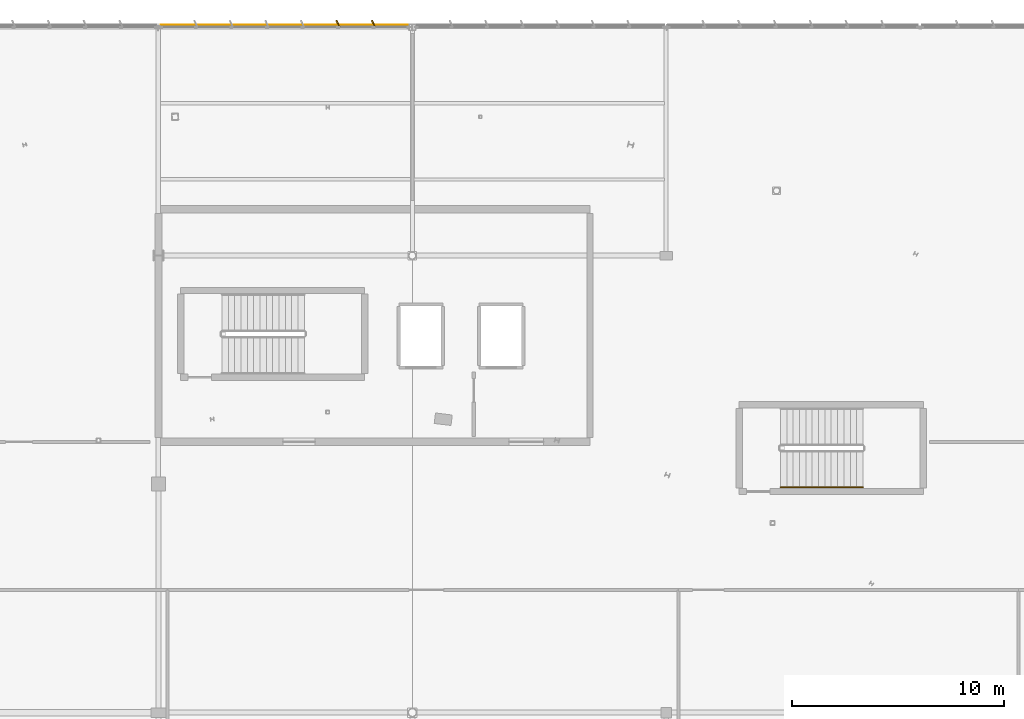
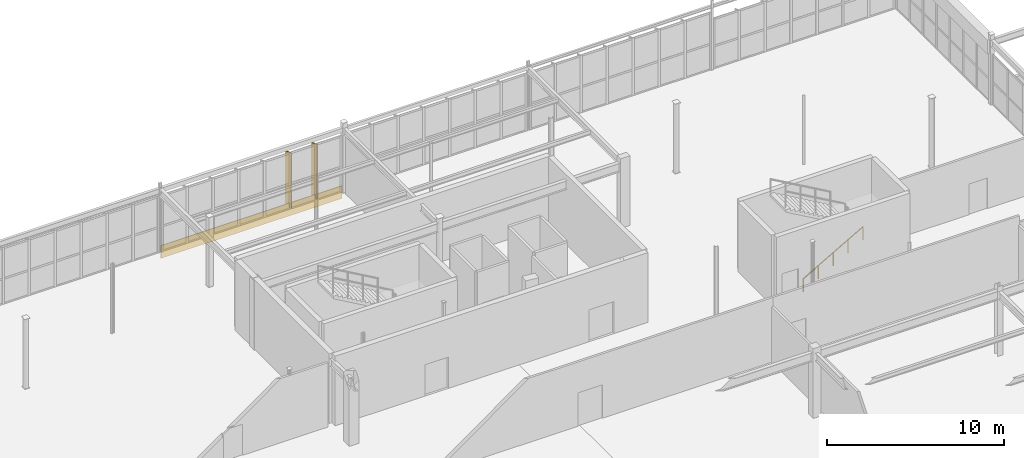
# One storey, part 213 of 226: 2 shading devices, 1 covering, 1 railing.
"""IFC4 building model written with IfcOpenShell, lengths in metres."""

from ifc_helpers import new_model, si_unit, direction, frame, origin, origin_2d, place, context, subcontext, project, spatial, rectangle, circle, extrude, material, layer, layer_set, type_object, element, save


model = new_model("IFC4")

# Units and contexts
model_context = context("Model", 3, precision=1e-05, world=origin(), true_north=direction((0.0, 1.0)))
body_context = subcontext(model_context, "Body", "Model", "MODEL_VIEW")
ifc_project = project(units=[si_unit("LENGTHUNIT", "METRE"), si_unit("AREAUNIT", "SQUARE_METRE"), si_unit("VOLUMEUNIT", "CUBIC_METRE"), si_unit("PLANEANGLEUNIT", "RADIAN"), si_unit("MASSUNIT", "GRAM", prefix="KILO")], contexts=[model_context])

# Site, building, storey
site_placement = place(None, origin())
site = spatial("IfcSite", under=ifc_project, at=site_placement, CompositionType="ELEMENT")
building_placement = place(site_placement, origin())
building = spatial("IfcBuilding", under=site, at=building_placement, Name="Tarnwether General Hospital", CompositionType="ELEMENT")
storey_placement = place(building_placement, frame((0.0, 0.0, 4.800048828125)))
storey = spatial("IfcBuildingStorey", under=building, at=storey_placement, Name="L01", CompositionType="ELEMENT", Elevation=4.800048828125)

# Covering
ifc_material_1 = material(Name="Folded zinc-titanium cladding")
ifc_layer_1 = layer(ifc_material_1, 0.0400390625)
ifc_layer_set_1 = layer_set([ifc_layer_1], Name="Folded zinc-titanium cladding")
covering_type = type_object("IfcCoveringType", Name="CV-CLD-ZNC", PredefinedType="CLADDING", material=ifc_layer_set_1)
covering_placement = place(storey_placement, frame((90.0, 126.090087890625, -0.52001953125), z_axis=(0.0, 0.0, 1.0), x_axis=(1.0, 0.0, 0.0)))
element("IfcCovering", 1, at=covering_placement, inside=storey, type_object=covering_type, Name="Diagnostic Base Faceted Zinc Spandrel 072", PredefinedType="CLADDING", context=body_context, shape_type="SweptSolid", body=[
    extrude(rectangle(XDim=11.800048828125, YDim=0.0400390625, at=origin_2d()), origin(), (0.0, 0.0, 1.0), 0.8798828125),
])

# Railing
ifc_material_2 = material(Name="Anodised aluminium", Category="aluminium")
railing_type = type_object("IfcRailingType", Name="RL-HND-INT", PredefinedType="HANDRAIL", material=ifc_material_2)
railing_placement = place(storey_placement, frame((113.39990234375, 104.25, 0.17138671875)))
element("IfcRailing", 2, at=railing_placement, inside=storey, type_object=railing_type, Name="L01 ST-08 stair handrail 1", PredefinedType="HANDRAIL", context=body_context, shape_type="SweptSolid", body=[
    extrude(circle(Radius=0.02392578125, at=origin_2d()), frame((0.0, 0.0, 0.8759765625), z_axis=(0.868256520506, 0.0, 0.496115525457), x_axis=(0.0, 1.0, 0.0)), (0.0, 0.0, 1.0), 4.491943359375),
    extrude(circle(Radius=0.02099609375, at=origin_2d()), origin(), (0.0, 0.0, 1.0), 0.851806640625),
    extrude(circle(Radius=0.02099609375, at=origin_2d()), frame((0.97509765625, 0.0, 0.55712890625)), (0.0, 0.0, 1.0), 0.851806640625),
    extrude(circle(Radius=0.02099609375, at=origin_2d()), frame((1.9501953125, 0.0, 1.1142578125)), (0.0, 0.0, 1.0), 0.851806640625),
    extrude(circle(Radius=0.02099609375, at=origin_2d()), frame((2.925048828125, 0.0, 1.67138671875)), (0.0, 0.0, 1.0), 0.851806640625),
    extrude(circle(Radius=0.02099609375, at=origin_2d()), frame((3.900146484375, 0.0, 2.228515625)), (0.0, 0.0, 1.0), 0.851806640625),
])

# Shading devices
ifc_material_3 = material(Name="Champagne-bronze anodised aluminium", Category="aluminium")
ifc_layer_2 = layer(ifc_material_3, 0.06005859375)
ifc_layer_set_2 = layer_set([ifc_layer_2], Name="Champagne-bronze anodised aluminium")
shading_device_type = type_object("IfcShadingDeviceType", Name="SH-FIN-BRZ", PredefinedType="USERDEFINED", material=ifc_layer_set_2)
for number, where, z_axis, x_axis, name in (
    (3, (92.48291015625, 126.159912109375, 0.0498046875), (0.0, 0.0, 1.0), (0.906307787037, 0.422618261741, 0.0), "Champagne-Bronze Brise-Soleil Fin 0210"),
    (4, (94.162109375, 126.159912109375, 0.0498046875), (0.0, 0.0, 1.0), (0.906307787037, 0.422618261741, 0.0), "Champagne-Bronze Brise-Soleil Fin 0211"),
):
    element("IfcShadingDevice", number, at=place(storey_placement, frame(where, z_axis=z_axis, x_axis=x_axis)), inside=storey, type_object=shading_device_type, Name=name, ObjectType="SOLAR FIN", PredefinedType="USERDEFINED", context=body_context, shape_type="SweptSolid", body=[
        extrude(rectangle(XDim=0.06005859375, YDim=0.360107421875, at=origin_2d()), origin(), (0.0, 0.0, 1.0), 3.802001953125),
    ])

save(model, "model.ifc")
